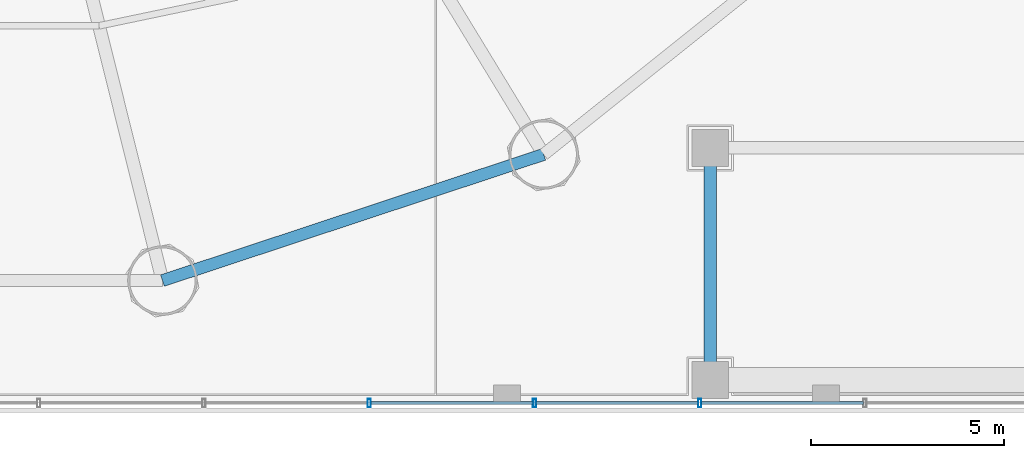
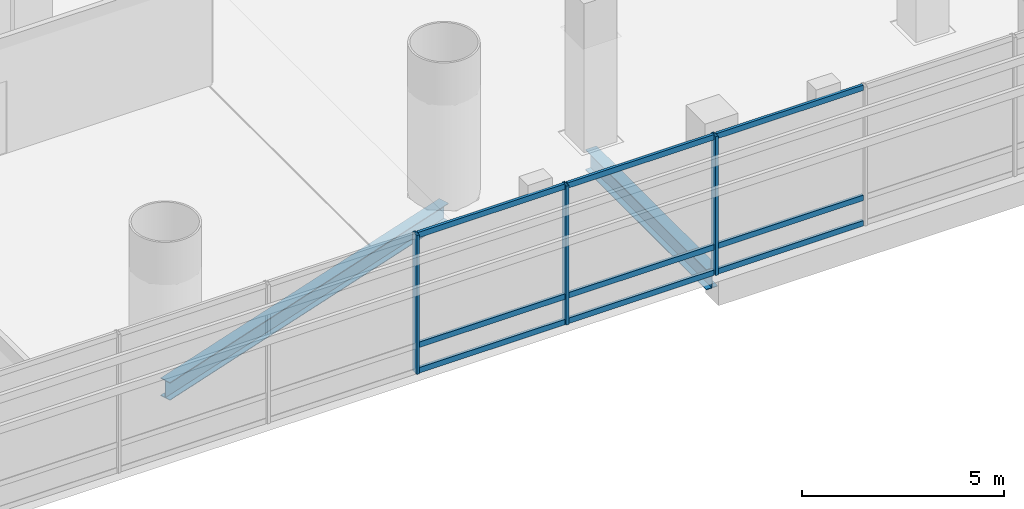
# One storey, part 8 of 36: 12 members, 2 beams, 1 element without a shape of its own.
"""IFC4 building model written with IfcOpenShell, lengths in metres."""

from ifc_helpers import new_model, si_unit, direction, frame, origin, origin_2d, place, context, subcontext, project, spatial, hollow_rectangle, i_section, extrude, source, transform, mapped, material, material_profile, profile_set, type_object, element, aggregate, save


model = new_model("IFC4")

# Units and contexts
model_context = context("Model", 3, precision=1e-05, world=origin(), true_north=direction((-0.2419218956, 0.970295726276)))
body_context = subcontext(model_context, "Body", "Model", "MODEL_VIEW")
ifc_project = project(units=[si_unit("LENGTHUNIT", "METRE"), si_unit("AREAUNIT", "SQUARE_METRE"), si_unit("VOLUMEUNIT", "CUBIC_METRE"), si_unit("PLANEANGLEUNIT", "RADIAN"), si_unit("MASSUNIT", "GRAM", prefix="KILO")], contexts=[model_context])

# Site, building, storey
site_placement = place(None, origin())
site = spatial("IfcSite", under=ifc_project, at=site_placement, CompositionType="ELEMENT")
building_placement = place(site_placement, origin())
building = spatial("IfcBuilding", under=site, at=building_placement, Name="Cobrevalo Terracotta Tower", CompositionType="ELEMENT")
storey_placement = place(building_placement, frame((0.0, 0.0, 9.89990234375)))
storey = spatial("IfcBuildingStorey", under=building, at=storey_placement, Name="L02", CompositionType="ELEMENT", Elevation=9.89990234375)

# Beams
ifc_material_1 = material(Name="Steel S355", Category="steel")
ifc_material_profile_1 = material_profile(ifc_material_1, i_section(OverallWidth=0.324951171875, OverallDepth=0.615966796875, WebThickness=0.013916015625, FlangeThickness=0.021484375, at=origin_2d()), Name="W 610x174")
ifc_profile_set_1 = profile_set([ifc_material_profile_1], Name="Steel S355")
beam_type_1 = type_object("IfcBeamType", Name="Structural Beam W 610x174 (Steel S355)", PredefinedType="BEAM", material=ifc_profile_set_1)
beam_1_placement = place(storey_placement, frame((57.5, 2.800048828125, -0.60791015625), z_axis=(0.0, 1.0, 0.0), x_axis=(-1.0, 0.0, 0.0)))
element("IfcBeam", 1, at=beam_1_placement, inside=storey, type_object=beam_type_1, Name="L02 podium grid beam G7-GA to G7-GB", PredefinedType="BEAM", context=body_context, shape_type="SweptSolid", body=[
    extrude(i_section(OverallWidth=0.324951171875, OverallDepth=0.615966796875, WebThickness=0.013916015625, FlangeThickness=0.021484375, at=origin_2d()), origin(), (0.0, 0.0, 1.0), 6.0),
])
ifc_material_profile_2 = material_profile(ifc_material_1, i_section(OverallWidth=0.31201171875, OverallDepth=0.54296875, WebThickness=0.0126953125, FlangeThickness=0.020263671875, at=origin_2d()), Name="W 530x150")
ifc_profile_set_2 = profile_set([ifc_material_profile_2], Name="Steel S355")
beam_type_2 = type_object("IfcBeamType", Name="Structural Spandrel W 530x150 (Steel S355)", PredefinedType="SPANDREL", material=ifc_profile_set_2)
beam_2_placement = place(storey_placement, frame((43.335693359375, 5.369873046875, -0.5712890625), z_axis=(0.949372202648, 0.314153498848, 0.0), x_axis=(-0.314153498848, 0.949372202648, 0.0)))
element("IfcBeam", 2, at=beam_2_placement, inside=storey, type_object=beam_type_2, Name="L02 perimeter ring spandrel 13", PredefinedType="SPANDREL", context=body_context, shape_type="SweptSolid", body=[
    extrude(i_section(OverallWidth=0.31201171875, OverallDepth=0.54296875, WebThickness=0.0126953125, FlangeThickness=0.020263671875, at=origin_2d()), origin(), (0.0, 0.0, 1.0), 10.385009765625),
])

# Curtain wall, members
ifc_material_2 = material(Name="Anodized aluminium", Category="aluminium")
curtain_wall_type = type_object("IfcCurtainWallType", Name="Podium gallery & conservatory curtain wall CW-S2", PredefinedType="NOTDEFINED", material=ifc_material_2)
curtain_wall_placement = place(storey_placement, origin())
curtain_wall = element("IfcCurtainWall", 3, at=curtain_wall_placement, inside=storey, type_object=curtain_wall_type, Name="L02 curtain wall CW-POD-L02-S", PredefinedType="NOTDEFINED")
ifc_material_profile_3 = material_profile(ifc_material_2, hollow_rectangle(XDim=0.080078125, YDim=0.219970703125, WallThickness=0.0048828125, at=origin_2d()), Name="CWM 80x220")
ifc_profile_set_3 = profile_set([ifc_material_profile_3], Name="Anodized aluminium")
member_type_1 = type_object("IfcMemberType", Name="Storefront & atrium aluminium mullion 80x220", PredefinedType="MULLION", material=ifc_profile_set_3)
shared_shape_1 = source(origin(), body_context, "Body", "SweptSolid", [
    extrude(hollow_rectangle(XDim=0.080078125, YDim=0.219970703125, WallThickness=0.0048828125, at=origin_2d()), origin(), (0.0, 0.0, 1.0), 4.2001953125),
])
member_1_placement = place(storey_placement, frame((48.683349609375, 2.199951171875, 0.0), z_axis=(0.0, 0.0, 1.0), x_axis=(1.0, 0.0, 0.0)))
member_1 = element("IfcMember", 4, at=member_1_placement, type_object=member_type_1, Name="CW-POD-L02-S vertical mullion 11", PredefinedType="MULLION", context=body_context, shape_type="MappedRepresentation", body=[
    mapped(shared_shape_1, transform((0.0, 0.0, 0.0), scale=1.0)),
])
member_2_placement = place(storey_placement, frame((52.956787109375, 2.199951171875, 0.0), z_axis=(0.0, 0.0, 1.0), x_axis=(1.0, 0.0, 0.0)))
member_2 = element("IfcMember", 5, at=member_2_placement, type_object=member_type_1, Name="CW-POD-L02-S vertical mullion 12", PredefinedType="MULLION", context=body_context, shape_type="MappedRepresentation", body=[
    mapped(shared_shape_1, transform((0.0, 0.0, 0.0), scale=1.0)),
])
member_3_placement = place(storey_placement, frame((57.22998046875, 2.199951171875, 0.0), z_axis=(0.0, 0.0, 1.0), x_axis=(1.0, 0.0, 0.0)))
member_3 = element("IfcMember", 6, at=member_3_placement, type_object=member_type_1, Name="CW-POD-L02-S vertical mullion 13", PredefinedType="MULLION", context=body_context, shape_type="MappedRepresentation", body=[
    mapped(shared_shape_1, transform((0.0, 0.0, 0.0), scale=1.0)),
])
ifc_material_profile_4 = material_profile(ifc_material_2, hollow_rectangle(XDim=0.080078125, YDim=0.1650390625, WallThickness=0.00439453125, at=origin_2d()), Name="CWT 80x165")
ifc_profile_set_4 = profile_set([ifc_material_profile_4], Name="Anodized aluminium")
member_type_2 = type_object("IfcMemberType", Name="Storefront & atrium aluminium transom 80x165", PredefinedType="USERDEFINED", material=ifc_profile_set_4)
shared_shape_2 = source(origin(), body_context, "Body", "SweptSolid", [
    extrude(hollow_rectangle(XDim=0.080078125, YDim=0.1650390625, WallThickness=0.00439453125, at=origin_2d()), origin(), (0.0, 0.0, 1.0), 4.193359375),
])
member_4_placement = place(storey_placement, frame((48.723388671875, 2.199951171875, 0.050048828125), z_axis=(1.0, 0.0, 0.0), x_axis=(0.0, 1.0, 0.0)))
member_4 = element("IfcMember", 7, at=member_4_placement, type_object=member_type_2, Name="CW-POD-L02-S transom B11-T1", ObjectType="TRANSOM", PredefinedType="USERDEFINED", context=body_context, shape_type="MappedRepresentation", body=[
    mapped(shared_shape_2, transform((0.0, 0.0, 0.0), scale=1.0)),
])
member_5_placement = place(storey_placement, frame((48.723388671875, 2.199951171875, 0.820068359375), z_axis=(1.0, 0.0, 0.0), x_axis=(0.0, 1.0, 0.0)))
member_5 = element("IfcMember", 8, at=member_5_placement, type_object=member_type_2, Name="CW-POD-L02-S transom B11-T2", ObjectType="TRANSOM", PredefinedType="USERDEFINED", context=body_context, shape_type="MappedRepresentation", body=[
    mapped(shared_shape_2, transform((0.0, 0.0, 0.0), scale=1.0)),
])
member_6_placement = place(storey_placement, frame((48.723388671875, 2.199951171875, 4.150146484375), z_axis=(1.0, 0.0, 0.0), x_axis=(0.0, 1.0, 0.0)))
member_6 = element("IfcMember", 9, at=member_6_placement, type_object=member_type_2, Name="CW-POD-L02-S transom B11-T3", ObjectType="TRANSOM", PredefinedType="USERDEFINED", context=body_context, shape_type="MappedRepresentation", body=[
    mapped(shared_shape_2, transform((0.0, 0.0, 0.0), scale=1.0)),
])
member_7_placement = place(storey_placement, frame((52.99658203125, 2.199951171875, 0.050048828125), z_axis=(1.0, 0.0, 0.0), x_axis=(0.0, 1.0, 0.0)))
member_7 = element("IfcMember", 10, at=member_7_placement, type_object=member_type_2, Name="CW-POD-L02-S transom B12-T1", ObjectType="TRANSOM", PredefinedType="USERDEFINED", context=body_context, shape_type="MappedRepresentation", body=[
    mapped(shared_shape_2, transform((0.0, 0.0, 0.0), scale=1.0)),
])
member_8_placement = place(storey_placement, frame((52.99658203125, 2.199951171875, 0.820068359375), z_axis=(1.0, 0.0, 0.0), x_axis=(0.0, 1.0, 0.0)))
member_8 = element("IfcMember", 11, at=member_8_placement, type_object=member_type_2, Name="CW-POD-L02-S transom B12-T2", ObjectType="TRANSOM", PredefinedType="USERDEFINED", context=body_context, shape_type="MappedRepresentation", body=[
    mapped(shared_shape_2, transform((0.0, 0.0, 0.0), scale=1.0)),
])
member_9_placement = place(storey_placement, frame((52.99658203125, 2.199951171875, 4.150146484375), z_axis=(1.0, 0.0, 0.0), x_axis=(0.0, 1.0, 0.0)))
member_9 = element("IfcMember", 12, at=member_9_placement, type_object=member_type_2, Name="CW-POD-L02-S transom B12-T3", ObjectType="TRANSOM", PredefinedType="USERDEFINED", context=body_context, shape_type="MappedRepresentation", body=[
    mapped(shared_shape_2, transform((0.0, 0.0, 0.0), scale=1.0)),
])
member_10_placement = place(storey_placement, frame((57.27001953125, 2.199951171875, 0.050048828125), z_axis=(1.0, 0.0, 0.0), x_axis=(0.0, 1.0, 0.0)))
member_10 = element("IfcMember", 13, at=member_10_placement, type_object=member_type_2, Name="CW-POD-L02-S transom B13-T1", ObjectType="TRANSOM", PredefinedType="USERDEFINED", context=body_context, shape_type="MappedRepresentation", body=[
    mapped(shared_shape_2, transform((0.0, 0.0, 0.0), scale=1.0)),
])
member_11_placement = place(storey_placement, frame((57.27001953125, 2.199951171875, 0.820068359375), z_axis=(1.0, 0.0, 0.0), x_axis=(0.0, 1.0, 0.0)))
member_11 = element("IfcMember", 14, at=member_11_placement, type_object=member_type_2, Name="CW-POD-L02-S transom B13-T2", ObjectType="TRANSOM", PredefinedType="USERDEFINED", context=body_context, shape_type="MappedRepresentation", body=[
    mapped(shared_shape_2, transform((0.0, 0.0, 0.0), scale=1.0)),
])
member_12_placement = place(storey_placement, frame((57.27001953125, 2.199951171875, 4.150146484375), z_axis=(1.0, 0.0, 0.0), x_axis=(0.0, 1.0, 0.0)))
member_12 = element("IfcMember", 15, at=member_12_placement, type_object=member_type_2, Name="CW-POD-L02-S transom B13-T3", ObjectType="TRANSOM", PredefinedType="USERDEFINED", context=body_context, shape_type="MappedRepresentation", body=[
    mapped(shared_shape_2, transform((0.0, 0.0, 0.0), scale=1.0)),
])
aggregate(curtain_wall, [member_1, member_2, member_3, member_4, member_5, member_6, member_7, member_8, member_9, member_10, member_11, member_12])

save(model, "model.ifc")
